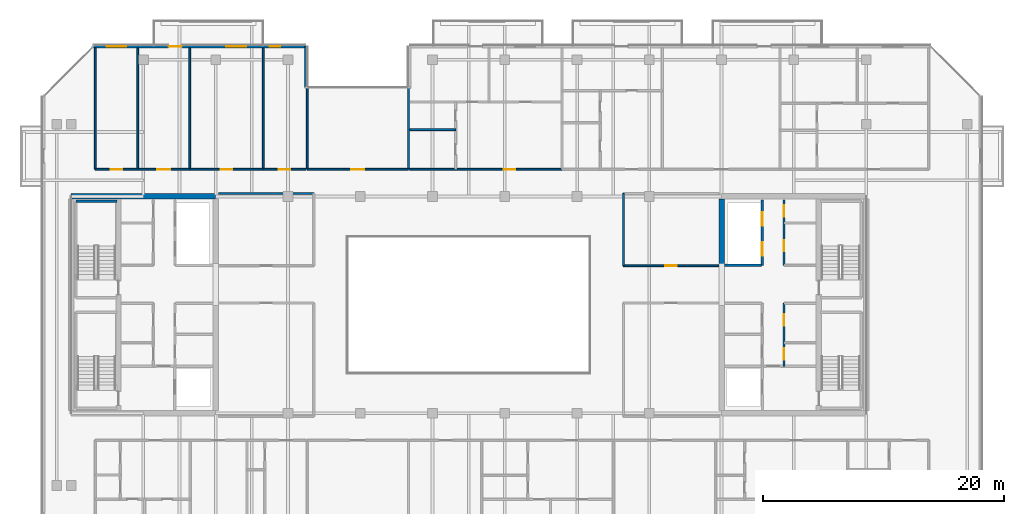
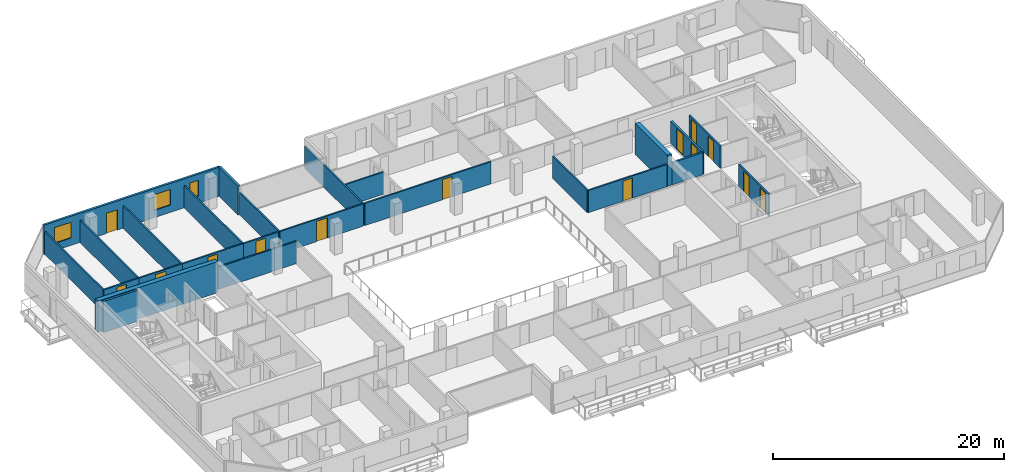
# One storey, part 21 of 29: 25 walls, 14 doors, 3 windows, 17 openings.
"""IFC4 building model written with IfcOpenShell, lengths in metres."""

from ifc_helpers import new_model, si_unit, direction, frame, frame_2d, origin, place, context, subcontext, project, spatial, rectangle, extrude, material, layer, layer_set, type_object, element, fill, save


model = new_model("IFC4")

# Units and contexts
model_context = context("Model", 3, precision=1e-05, world=origin(), true_north=direction((0.0, 1.0)))
body_context = subcontext(model_context, "Body", "Model", "MODEL_VIEW")
ifc_project = project(units=[si_unit("LENGTHUNIT", "METRE"), si_unit("AREAUNIT", "SQUARE_METRE"), si_unit("VOLUMEUNIT", "CUBIC_METRE"), si_unit("PLANEANGLEUNIT", "RADIAN"), si_unit("MASSUNIT", "GRAM", prefix="KILO")], contexts=[model_context])

# Site, building, storey
site_placement = place(None, origin())
site = spatial("IfcSite", under=ifc_project, at=site_placement, CompositionType="ELEMENT")
building_placement = place(site_placement, origin())
building = spatial("IfcBuilding", under=site, at=building_placement, Name="Tanjung Sevakor Pilgrim Tower", CompositionType="ELEMENT")
storey_placement = place(building_placement, frame((0.0, 0.0, 181.830078125)))
storey = spatial("IfcBuildingStorey", under=building, at=storey_placement, Name="L50", CompositionType="ELEMENT", Elevation=181.830078125)

# Walls
ifc_material_1 = material(Name="Concrete C60/75", Category="concrete")
ifc_layer_1 = layer(ifc_material_1, 0.449951171875)
ifc_layer_set_1 = layer_set([ifc_layer_1], Name="WALL-CW-450")
wall_type_1 = type_object("IfcWallType", Name="WALL-CW-450", PredefinedType="SHEAR", material=ifc_layer_set_1)
wall_1_placement = place(storey_placement, frame((36.0, 42.60009765625, 0.0), z_axis=(0.0, 0.0, 1.0), x_axis=(-1.0, 0.0, 0.0)))
element("IfcWall", 1, at=wall_1_placement, inside=storey, type_object=wall_type_1, Name="L50 W Core North Shear Wall", PredefinedType="SHEAR", context=body_context, shape_type="SweptSolid", body=[
    extrude(rectangle(XDim=12.0, YDim=0.449951171875, at=frame_2d((6.0, 0.0))), origin(), (0.0, 0.0, 1.0), 3.2998046875),
])
wall_2_placement = place(storey_placement, frame((78.0, 36.800048828125, 0.0), z_axis=(0.0, 0.0, 1.0), x_axis=(0.0, 1.0, 0.0)))
element("IfcWall", 2, at=wall_2_placement, inside=storey, type_object=wall_type_1, Name="L50 E Core Inner Shear Wall North", PredefinedType="SHEAR", context=body_context, shape_type="SweptSolid", body=[
    extrude(rectangle(XDim=5.574951171875, YDim=0.449951171875, at=frame_2d((2.78759765625, 0.0))), origin(), (0.0, 0.0, 1.0), 3.2998046875),
])

# Wall, openings, doors
ifc_material_2 = material(Name="Concrete C40/50", Category="concrete")
ifc_layer_2 = layer(ifc_material_2, 0.14990234375)
ifc_layer_set_2 = layer_set([ifc_layer_2], Name="WT-COMP-150")
wall_type_2 = type_object("IfcWallType", Name="WT-COMP-150", PredefinedType="SOLIDWALL", material=ifc_layer_set_2)
wall_3_placement = place(storey_placement, frame((83.179931640625, 28.5, 0.0), z_axis=(0.0, 0.0, 1.0), x_axis=(0.0, 1.0, 0.0)))
wall_3 = element("IfcWall", 3, at=wall_3_placement, inside=storey, type_object=wall_type_2, Name="L50 Partition IW-L50-018", PredefinedType="SOLIDWALL", context=body_context, shape_type="SweptSolid", body=[
    extrude(rectangle(XDim=5.219970703125, YDim=0.14990234375, at=frame_2d((2.60986328125, 0.0))), origin(), (0.0, 0.0, 1.0), 2.35009765625),
])
opening_1_placement = place(wall_3_placement, frame((0.550048828125, 0.0, 0.0)))
opening_1 = element("IfcOpeningElement", 4, at=opening_1_placement, cuts=wall_3, Name="Opening ID-FD2", PredefinedType="OPENING", context=body_context, shape_type="SweptSolid", body=[
    extrude(rectangle(XDim=0.949951171875, YDim=2.14990234375, at=frame_2d((0.47509765625, 1.074951171875))), frame((0.0, 0.0849609375, 0.0), z_axis=(0.0, -1.0, 0.0), x_axis=(1.0, 0.0, 0.0)), (0.0, 0.0, 1.0), 0.169921875),
])
opening_2_placement = place(wall_3_placement, frame((3.35009765625, 0.0, 0.0)))
opening_2 = element("IfcOpeningElement", 5, at=opening_2_placement, cuts=wall_3, Name="Opening ID-FD2", PredefinedType="OPENING", context=body_context, shape_type="SweptSolid", body=[
    extrude(rectangle(XDim=0.949951171875, YDim=2.14990234375, at=frame_2d((0.47509765625, 1.074951171875))), frame((0.0, 0.0849609375, 0.0), z_axis=(0.0, -1.0, 0.0), x_axis=(1.0, 0.0, 0.0)), (0.0, 0.0, 1.0), 0.169921875),
])
ifc_material_3 = material(Name="Fire-Rated Timber", Category="wood")
door_type_1 = type_object("IfcDoorType", Name="DT-FIRE-950", OperationType="NOTDEFINED", PredefinedType="DOOR", material=ifc_material_3)
door_1_placement = place(opening_1_placement, origin())
door_1 = element("IfcDoor", 6, at=door_1_placement, inside=storey, type_object=door_type_1, Name="L50 Cleaner Store Door", OperationType="SINGLE_SWING_LEFT", OverallHeight=2.14990234375, OverallWidth=0.949951171875, PredefinedType="DOOR", context=body_context, shape_type="SweptSolid", body=[
    extrude(rectangle(XDim=0.949951171875, YDim=2.14990234375, at=frame_2d((0.47509765625, 1.074951171875))), frame((0.0, 0.02490234375, 0.0), z_axis=(0.0, -1.0, 0.0), x_axis=(1.0, 0.0, 0.0)), (0.0, 0.0, 1.0), 0.050048828125),
])
fill(opening_1, door_1)
door_2_placement = place(opening_2_placement, origin())
door_2 = element("IfcDoor", 7, at=door_2_placement, inside=storey, type_object=door_type_1, Name="L50 Housekeeping Pantry Door", OperationType="SINGLE_SWING_RIGHT", OverallHeight=2.14990234375, OverallWidth=0.949951171875, PredefinedType="DOOR", context=body_context, shape_type="SweptSolid", body=[
    extrude(rectangle(XDim=0.949951171875, YDim=2.14990234375, at=frame_2d((0.47509765625, 1.074951171875))), frame((0.0, 0.02490234375, 0.0), z_axis=(0.0, -1.0, 0.0), x_axis=(1.0, 0.0, 0.0)), (0.0, 0.0, 1.0), 0.050048828125),
])
fill(opening_2, door_2)

wall_4_placement = place(storey_placement, frame((83.179931640625, 36.8798828125, 0.0), z_axis=(0.0, 0.0, 1.0), x_axis=(0.0, 1.0, 0.0)))
wall_4 = element("IfcWall", 8, at=wall_4_placement, inside=storey, type_object=wall_type_2, Name="L50 Partition IW-L50-024", PredefinedType="SOLIDWALL", context=body_context, shape_type="SweptSolid", body=[
    extrude(rectangle(XDim=5.420166015625, YDim=0.14990234375, at=frame_2d((2.7099609375, 0.0))), origin(), (0.0, 0.0, 1.0), 2.35009765625),
])
opening_3_placement = place(wall_4_placement, frame((1.14990234375, 0.0, 0.0)))
opening_3 = element("IfcOpeningElement", 9, at=opening_3_placement, cuts=wall_4, Name="Opening ID-FD2", PredefinedType="OPENING", context=body_context, shape_type="SweptSolid", body=[
    extrude(rectangle(XDim=0.949951171875, YDim=2.14990234375, at=frame_2d((0.47509765625, 1.074951171875))), frame((0.0, 0.0849609375, 0.0), z_axis=(0.0, -1.0, 0.0), x_axis=(1.0, 0.0, 0.0)), (0.0, 0.0, 1.0), 0.169921875),
])
opening_4_placement = place(wall_4_placement, frame((4.050048828125, 0.0, 0.0)))
opening_4 = element("IfcOpeningElement", 10, at=opening_4_placement, cuts=wall_4, Name="Opening ID-FD2", PredefinedType="OPENING", context=body_context, shape_type="SweptSolid", body=[
    extrude(rectangle(XDim=0.949951171875, YDim=2.14990234375, at=frame_2d((0.47509765625, 1.074951171875))), frame((0.0, 0.0849609375, 0.0), z_axis=(0.0, -1.0, 0.0), x_axis=(1.0, 0.0, 0.0)), (0.0, 0.0, 1.0), 0.169921875),
])
door_3_placement = place(opening_3_placement, origin())
door_3 = element("IfcDoor", 11, at=door_3_placement, inside=storey, type_object=door_type_1, Name="L50 Core Study Room Door", OperationType="SINGLE_SWING_LEFT", OverallHeight=2.14990234375, OverallWidth=0.949951171875, PredefinedType="DOOR", context=body_context, shape_type="SweptSolid", body=[
    extrude(rectangle(XDim=0.949951171875, YDim=2.14990234375, at=frame_2d((0.47509765625, 1.074951171875))), frame((0.0, 0.02490234375, 0.0), z_axis=(0.0, -1.0, 0.0), x_axis=(1.0, 0.0, 0.0)), (0.0, 0.0, 1.0), 0.050048828125),
])
fill(opening_3, door_3)
door_4_placement = place(opening_4_placement, origin())
door_4 = element("IfcDoor", 12, at=door_4_placement, inside=storey, type_object=door_type_1, Name="L50 Service Store Door", OperationType="SINGLE_SWING_RIGHT", OverallHeight=2.14990234375, OverallWidth=0.949951171875, PredefinedType="DOOR", context=body_context, shape_type="SweptSolid", body=[
    extrude(rectangle(XDim=0.949951171875, YDim=2.14990234375, at=frame_2d((0.47509765625, 1.074951171875))), frame((0.0, 0.02490234375, 0.0), z_axis=(0.0, -1.0, 0.0), x_axis=(1.0, 0.0, 0.0)), (0.0, 0.0, 1.0), 0.050048828125),
])
fill(opening_4, door_4)

# Wall
wall_5_placement = place(storey_placement, frame((36.2451171875, 42.85009765625, 0.0), z_axis=(0.0, 0.0, 1.0), x_axis=(1.0, 0.0, 0.0)))
element("IfcWall", 13, at=wall_5_placement, inside=storey, type_object=wall_type_2, Name="L50 Partition IW-L50-031", PredefinedType="SOLIDWALL", context=body_context, shape_type="SweptSolid", body=[
    extrude(rectangle(XDim=7.90478515625, YDim=0.14990234375, at=frame_2d((3.952392578125, 0.0))), origin(), (0.0, 0.0, 1.0), 2.35009765625),
])

# Wall, opening, door
wall_6_placement = place(storey_placement, frame((69.85009765625, 36.85009765625, 0.0), z_axis=(0.0, 0.0, 1.0), x_axis=(1.0, 0.0, 0.0)))
wall_6 = element("IfcWall", 14, at=wall_6_placement, inside=storey, type_object=wall_type_2, Name="L50 Partition IW-L50-036", PredefinedType="SOLIDWALL", context=body_context, shape_type="SweptSolid", body=[
    extrude(rectangle(XDim=7.90478515625, YDim=0.14990234375, at=frame_2d((3.952392578125, 0.0))), origin(), (0.0, 0.0, 1.0), 2.35009765625),
])
opening_5_placement = place(wall_6_placement, frame((3.4775390625, 0.0, 0.0)))
opening_5 = element("IfcOpeningElement", 15, at=opening_5_placement, cuts=wall_6, Name="Opening ID-RM1", PredefinedType="OPENING", context=body_context, shape_type="SweptSolid", body=[
    extrude(rectangle(XDim=0.949951171875, YDim=2.14990234375, at=frame_2d((0.47509765625, 1.074951171875))), frame((0.0, 0.0849609375, 0.0), z_axis=(0.0, -1.0, 0.0), x_axis=(1.0, 0.0, 0.0)), (0.0, 0.0, 1.0), 0.169921875),
])
ifc_material_4 = material(Name="Hardwood Timber", Category="wood")
door_type_2 = type_object("IfcDoorType", Name="DT-INT-950", OperationType="NOTDEFINED", PredefinedType="DOOR", material=ifc_material_4)
door_5_placement = place(opening_5_placement, origin())
door_5 = element("IfcDoor", 16, at=door_5_placement, inside=storey, type_object=door_type_2, Name="L50 East Inboard North Door", OperationType="SINGLE_SWING_RIGHT", OverallHeight=2.14990234375, OverallWidth=0.949951171875, PredefinedType="DOOR", context=body_context, shape_type="SweptSolid", body=[
    extrude(rectangle(XDim=0.949951171875, YDim=2.14990234375, at=frame_2d((0.47509765625, 1.074951171875))), frame((0.0, 0.02490234375, 0.0), z_axis=(0.0, -1.0, 0.0), x_axis=(1.0, 0.0, 0.0)), (0.0, 0.0, 1.0), 0.050048828125),
])
fill(opening_5, door_5)

# Wall
wall_7_placement = place(storey_placement, frame((69.85009765625, 36.85009765625, 0.0), z_axis=(0.0, 0.0, 1.0), x_axis=(0.0, 1.0, 0.0)))
element("IfcWall", 17, at=wall_7_placement, inside=storey, type_object=wall_type_2, Name="L50 Partition IW-L50-038", PredefinedType="SOLIDWALL", context=body_context, shape_type="SweptSolid", body=[
    extrude(rectangle(XDim=6.0, YDim=0.14990234375, at=frame_2d((3.0, 0.0))), origin(), (0.0, 0.0, 1.0), 2.35009765625),
])

# Wall, opening, door
wall_8_placement = place(storey_placement, frame((43.60009765625, 44.85009765625, 0.0), z_axis=(0.0, 0.0, 1.0), x_axis=(1.0, 0.0, 0.0)))
wall_8 = element("IfcWall", 18, at=wall_8_placement, inside=storey, type_object=wall_type_2, Name="L50 Partition IW-L50-042", PredefinedType="SOLIDWALL", context=body_context, shape_type="SweptSolid", body=[
    extrude(rectangle(XDim=8.39990234375, YDim=0.14990234375, at=frame_2d((4.199951171875, 0.0))), origin(), (0.0, 0.0, 1.0), 2.35009765625),
])
opening_6_placement = place(wall_8_placement, frame((3.64990234375, 0.0, 0.0)))
opening_6 = element("IfcOpeningElement", 19, at=opening_6_placement, cuts=wall_8, Name="Opening ID-RM2", PredefinedType="OPENING", context=body_context, shape_type="SweptSolid", body=[
    extrude(rectangle(XDim=1.10009765625, YDim=2.14990234375, at=frame_2d((0.550048828125, 1.074951171875))), frame((0.0, 0.0849609375, 0.0), z_axis=(0.0, -1.0, 0.0), x_axis=(1.0, 0.0, 0.0)), (0.0, 0.0, 1.0), 0.169921875),
])
ifc_material_5 = material(Name="Hardwood Timber", Category="wood")
door_type_3 = type_object("IfcDoorType", Name="DT-INT-1100", OperationType="NOTDEFINED", PredefinedType="DOOR", material=ifc_material_5)
door_6_placement = place(opening_6_placement, origin())
door_6 = element("IfcDoor", 20, at=door_6_placement, inside=storey, type_object=door_type_3, Name="L50 North Cleft Reading Room Door", OperationType="SINGLE_SWING_RIGHT", OverallHeight=2.14990234375, OverallWidth=1.10009765625, PredefinedType="DOOR", context=body_context, shape_type="SweptSolid", body=[
    extrude(rectangle(XDim=1.10009765625, YDim=2.14990234375, at=frame_2d((0.550048828125, 1.074951171875))), frame((0.0, 0.02490234375, 0.0), z_axis=(0.0, -1.0, 0.0), x_axis=(1.0, 0.0, 0.0)), (0.0, 0.0, 1.0), 0.050048828125),
])
fill(opening_6, door_6)

# Walls
for number, where, z_axis, x_axis, name in (
    (21, (43.60009765625, 44.85009765625, 0.0), (0.0, 0.0, 1.0), (0.0, 1.0, 0.0), "L50 Partition IW-L50-043"),
    (22, (52.0, 44.85009765625, 0.0), (0.0, 0.0, 1.0), (0.0, 1.0, 0.0), "L50 Partition IW-L50-044"),
    (23, (26.0, 44.85009765625, 0.0), (0.0, 0.0, 1.0), (0.0, 1.0, 0.0), "L50 Partition IW-L50-077"),
    (24, (29.52880859375, 44.85009765625, 0.0), (0.0, 0.0, 1.0), (0.0, 1.0, 0.0), "L50 Partition IW-L50-078"),
):
    element("IfcWall", number, at=place(storey_placement, frame(where, z_axis=z_axis, x_axis=x_axis)), inside=storey, type_object=wall_type_2, Name=name, PredefinedType="SOLIDWALL", context=body_context, shape_type="SweptSolid", body=[
        extrude(rectangle(XDim=10.079833984375, YDim=0.14990234375, at=frame_2d((5.0400390625, 0.0))), origin(), (0.0, 0.0, 1.0), 2.35009765625),
    ])

# Wall, opening, door
wall_9_placement = place(storey_placement, frame((26.0, 44.85009765625, 0.0), z_axis=(0.0, 0.0, 1.0), x_axis=(1.0, 0.0, 0.0)))
wall_9 = element("IfcWall", 25, at=wall_9_placement, inside=storey, type_object=wall_type_2, Name="L50 Partition IW-L50-079", PredefinedType="SOLIDWALL", context=body_context, shape_type="SweptSolid", body=[
    extrude(rectangle(XDim=3.52880859375, YDim=0.14990234375, at=frame_2d((1.764404296875, 0.0))), origin(), (0.0, 0.0, 1.0), 2.35009765625),
])
opening_7_placement = place(wall_9_placement, frame((1.289306640625, 0.0, 0.0)))
opening_7 = element("IfcOpeningElement", 26, at=opening_7_placement, cuts=wall_9, Name="Opening ID-FD2", PredefinedType="OPENING", context=body_context, shape_type="SweptSolid", body=[
    extrude(rectangle(XDim=0.949951171875, YDim=2.14990234375, at=frame_2d((0.47509765625, 1.074951171875))), frame((0.0, 0.0849609375, 0.0), z_axis=(0.0, -1.0, 0.0), x_axis=(1.0, 0.0, 0.0)), (0.0, 0.0, 1.0), 0.169921875),
])
door_7_placement = place(opening_7_placement, origin())
door_7 = element("IfcDoor", 27, at=door_7_placement, inside=storey, type_object=door_type_1, Name="Study Room Entrance", OperationType="SINGLE_SWING_LEFT", OverallHeight=2.14990234375, OverallWidth=0.949951171875, PredefinedType="DOOR", context=body_context, shape_type="SweptSolid", body=[
    extrude(rectangle(XDim=0.949951171875, YDim=2.14990234375, at=frame_2d((0.47509765625, 1.074951171875))), frame((0.0, 0.02490234375, 0.0), z_axis=(0.0, -1.0, 0.0), x_axis=(1.0, 0.0, 0.0)), (0.0, 0.0, 1.0), 0.050048828125),
])
fill(opening_7, door_7)

# Wall
wall_10_placement = place(storey_placement, frame((33.841552734375, 44.85009765625, 0.0), z_axis=(0.0, 0.0, 1.0), x_axis=(0.0, 1.0, 0.0)))
element("IfcWall", 28, at=wall_10_placement, inside=storey, type_object=wall_type_2, Name="L50 Partition IW-L50-080", PredefinedType="SOLIDWALL", context=body_context, shape_type="SweptSolid", body=[
    extrude(rectangle(XDim=10.079833984375, YDim=0.14990234375, at=frame_2d((5.0400390625, 0.0))), origin(), (0.0, 0.0, 1.0), 2.35009765625),
])

# Wall, opening, door
wall_11_placement = place(storey_placement, frame((29.52880859375, 44.85009765625, 0.0), z_axis=(0.0, 0.0, 1.0), x_axis=(1.0, 0.0, 0.0)))
wall_11 = element("IfcWall", 29, at=wall_11_placement, inside=storey, type_object=wall_type_2, Name="L50 Partition IW-L50-081", PredefinedType="SOLIDWALL", context=body_context, shape_type="SweptSolid", body=[
    extrude(rectangle(XDim=4.312744140625, YDim=0.14990234375, at=frame_2d((2.15625, 0.0))), origin(), (0.0, 0.0, 1.0), 2.35009765625),
])
opening_8_placement = place(wall_11_placement, frame((1.6064453125, 0.0, 0.0)))
opening_8 = element("IfcOpeningElement", 30, at=opening_8_placement, cuts=wall_11, Name="Opening ID-FD0", PredefinedType="OPENING", context=body_context, shape_type="SweptSolid", body=[
    extrude(rectangle(XDim=1.10009765625, YDim=2.14990234375, at=frame_2d((0.550048828125, 1.074951171875))), frame((0.0, 0.0849609375, 0.0), z_axis=(0.0, -1.0, 0.0), x_axis=(1.0, 0.0, 0.0)), (0.0, 0.0, 1.0), 0.169921875),
])
ifc_material_6 = material(Name="Fire-Rated Steel S355J2", Category="steel")
door_type_4 = type_object("IfcDoorType", Name="DT-FIRE-1100", OperationType="NOTDEFINED", PredefinedType="DOOR", material=ifc_material_6)
door_8_placement = place(opening_8_placement, origin())
door_8 = element("IfcDoor", 31, at=door_8_placement, inside=storey, type_object=door_type_4, Name="Seminar Room Door", OperationType="SINGLE_SWING_RIGHT", OverallHeight=2.14990234375, OverallWidth=1.10009765625, PredefinedType="DOOR", context=body_context, shape_type="SweptSolid", body=[
    extrude(rectangle(XDim=1.10009765625, YDim=2.14990234375, at=frame_2d((0.550048828125, 1.074951171875))), frame((0.0, 0.02490234375, 0.0), z_axis=(0.0, -1.0, 0.0), x_axis=(1.0, 0.0, 0.0)), (0.0, 0.0, 1.0), 0.050048828125),
])
fill(opening_8, door_8)

# Wall
wall_12_placement = place(storey_placement, frame((39.951416015625, 44.85009765625, 0.0), z_axis=(0.0, 0.0, 1.0), x_axis=(0.0, 1.0, 0.0)))
element("IfcWall", 32, at=wall_12_placement, inside=storey, type_object=wall_type_2, Name="L50 Partition IW-L50-082", PredefinedType="SOLIDWALL", context=body_context, shape_type="SweptSolid", body=[
    extrude(rectangle(XDim=10.079833984375, YDim=0.14990234375, at=frame_2d((5.0400390625, 0.0))), origin(), (0.0, 0.0, 1.0), 2.35009765625),
])

# Wall, opening, door
wall_13_placement = place(storey_placement, frame((33.841552734375, 44.85009765625, 0.0), z_axis=(0.0, 0.0, 1.0), x_axis=(1.0, 0.0, 0.0)))
wall_13 = element("IfcWall", 33, at=wall_13_placement, inside=storey, type_object=wall_type_2, Name="L50 Partition IW-L50-083", PredefinedType="SOLIDWALL", context=body_context, shape_type="SweptSolid", body=[
    extrude(rectangle(XDim=6.10986328125, YDim=0.14990234375, at=frame_2d((3.054931640625, 0.0))), origin(), (0.0, 0.0, 1.0), 2.35009765625),
])
opening_9_placement = place(wall_13_placement, frame((2.579833984375, 0.0, 0.0)))
opening_9 = element("IfcOpeningElement", 34, at=opening_9_placement, cuts=wall_13, Name="Opening ID-FD2", PredefinedType="OPENING", context=body_context, shape_type="SweptSolid", body=[
    extrude(rectangle(XDim=0.949951171875, YDim=2.14990234375, at=frame_2d((0.47509765625, 1.074951171875))), frame((0.0, 0.0849609375, 0.0), z_axis=(0.0, -1.0, 0.0), x_axis=(1.0, 0.0, 0.0)), (0.0, 0.0, 1.0), 0.169921875),
])
door_9_placement = place(opening_9_placement, origin())
door_9 = element("IfcDoor", 35, at=door_9_placement, inside=storey, type_object=door_type_1, Name="Study Room Entrance", OperationType="SINGLE_SWING_LEFT", OverallHeight=2.14990234375, OverallWidth=0.949951171875, PredefinedType="DOOR", context=body_context, shape_type="SweptSolid", body=[
    extrude(rectangle(XDim=0.949951171875, YDim=2.14990234375, at=frame_2d((0.47509765625, 1.074951171875))), frame((0.0, 0.02490234375, 0.0), z_axis=(0.0, -1.0, 0.0), x_axis=(1.0, 0.0, 0.0)), (0.0, 0.0, 1.0), 0.050048828125),
])
fill(opening_9, door_9)

wall_14_placement = place(storey_placement, frame((39.951416015625, 44.85009765625, 0.0), z_axis=(0.0, 0.0, 1.0), x_axis=(1.0, 0.0, 0.0)))
wall_14 = element("IfcWall", 36, at=wall_14_placement, inside=storey, type_object=wall_type_2, Name="L50 Partition IW-L50-084", PredefinedType="SOLIDWALL", context=body_context, shape_type="SweptSolid", body=[
    extrude(rectangle(XDim=3.528564453125, YDim=0.14990234375, at=frame_2d((1.76416015625, 0.0))), origin(), (0.0, 0.0, 1.0), 2.35009765625),
])
opening_10_placement = place(wall_14_placement, frame((1.289306640625, 0.0, 0.0)))
opening_10 = element("IfcOpeningElement", 37, at=opening_10_placement, cuts=wall_14, Name="Opening ID-FD2", PredefinedType="OPENING", context=body_context, shape_type="SweptSolid", body=[
    extrude(rectangle(XDim=0.949951171875, YDim=2.14990234375, at=frame_2d((0.47509765625, 1.074951171875))), frame((0.0, 0.0849609375, 0.0), z_axis=(0.0, -1.0, 0.0), x_axis=(1.0, 0.0, 0.0)), (0.0, 0.0, 1.0), 0.169921875),
])
door_10_placement = place(opening_10_placement, origin())
door_10 = element("IfcDoor", 38, at=door_10_placement, inside=storey, type_object=door_type_1, Name="Study Room Entrance", OperationType="SINGLE_SWING_RIGHT", OverallHeight=2.14990234375, OverallWidth=0.949951171875, PredefinedType="DOOR", context=body_context, shape_type="SweptSolid", body=[
    extrude(rectangle(XDim=0.949951171875, YDim=2.14990234375, at=frame_2d((0.47509765625, 1.074951171875))), frame((0.0, 0.02490234375, 0.0), z_axis=(0.0, -1.0, 0.0), x_axis=(1.0, 0.0, 0.0)), (0.0, 0.0, 1.0), 0.050048828125),
])
fill(opening_10, door_10)

wall_15_placement = place(storey_placement, frame((52.1201171875, 44.85009765625, 0.0), z_axis=(0.0, 0.0, 1.0), x_axis=(1.0, 0.0, 0.0)))
wall_15 = element("IfcWall", 39, at=wall_15_placement, inside=storey, type_object=wall_type_2, Name="L50 Partition IW-L50-091", PredefinedType="SOLIDWALL", context=body_context, shape_type="SweptSolid", body=[
    extrude(rectangle(XDim=12.63671875, YDim=0.14990234375, at=frame_2d((6.318359375, 0.0))), origin(), (0.0, 0.0, 1.0), 2.35009765625),
])
opening_11_placement = place(wall_15_placement, frame((7.783447265625, 0.0, 0.0)))
opening_11 = element("IfcOpeningElement", 40, at=opening_11_placement, cuts=wall_15, Name="Opening ID-FD2", PredefinedType="OPENING", context=body_context, shape_type="SweptSolid", body=[
    extrude(rectangle(XDim=0.949951171875, YDim=2.14990234375, at=frame_2d((0.47509765625, 1.074951171875))), frame((0.0, 0.0849609375, 0.0), z_axis=(0.0, -1.0, 0.0), x_axis=(1.0, 0.0, 0.0)), (0.0, 0.0, 1.0), 0.169921875),
])
door_11_placement = place(opening_11_placement, origin())
door_11 = element("IfcDoor", 41, at=door_11_placement, inside=storey, type_object=door_type_1, Name="Suite Entrance", OperationType="SINGLE_SWING_LEFT", OverallHeight=2.14990234375, OverallWidth=0.949951171875, PredefinedType="DOOR", context=body_context, shape_type="SweptSolid", body=[
    extrude(rectangle(XDim=0.949951171875, YDim=2.14990234375, at=frame_2d((0.47509765625, 1.074951171875))), frame((0.0, 0.02490234375, 0.0), z_axis=(0.0, -1.0, 0.0), x_axis=(1.0, 0.0, 0.0)), (0.0, 0.0, 1.0), 0.050048828125),
])
fill(opening_11, door_11)

# Wall
ifc_material_7 = material(Name="Precast concrete C45/55", Category="concrete")
ifc_layer_3 = layer(ifc_material_7, 0.219970703125)
ifc_layer_set_3 = layer_set([ifc_layer_3], Name="WT-EW-STN4")
wall_type_3 = type_object("IfcWallType", Name="WT-EW-STN4", PredefinedType="SOLIDWALL", material=ifc_layer_set_3)
wall_16_placement = place(storey_placement, frame((43.489990234375, 51.639892578125, 0.0), z_axis=(0.0, 0.0, 1.0), x_axis=(0.0, 1.0, 0.0)))
element("IfcWall", 42, at=wall_16_placement, inside=storey, type_object=wall_type_3, Name="L50 MAIN Exterior Wall 12", PredefinedType="SOLIDWALL", context=body_context, shape_type="SweptSolid", body=[
    extrude(rectangle(XDim=3.400146484375, YDim=0.219970703125, at=frame_2d((1.7001953125, 0.0))), origin(), (0.0, 0.0, 1.0), 3.080078125),
])

# Wall, openings, door, windows
wall_17_placement = place(storey_placement, frame((43.489990234375, 55.0400390625, 0.0), z_axis=(0.0, 0.0, 1.0), x_axis=(-1.0, 0.0, 0.0)))
wall_17 = element("IfcWall", 43, at=wall_17_placement, inside=storey, type_object=wall_type_3, Name="L50 MAIN Exterior Wall 13", PredefinedType="SOLIDWALL", context=body_context, shape_type="SweptSolid", body=[
    extrude(rectangle(XDim=17.644287109375, YDim=0.219970703125, at=frame_2d((8.822265625, 0.0))), origin(), (0.0, 0.0, 1.0), 3.080078125),
])
opening_12_placement = place(wall_17_placement, frame((10.2900390625, 0.0, 0.0)))
opening_12 = element("IfcOpeningElement", 44, at=opening_12_placement, cuts=wall_17, Name="Opening ED-BAL-1100", PredefinedType="OPENING", context=body_context, shape_type="SweptSolid", body=[
    extrude(rectangle(XDim=1.10009765625, YDim=2.14990234375, at=frame_2d((0.550048828125, 1.074951171875))), frame((0.0, 0.119873046875, 0.0), z_axis=(0.0, -1.0, 0.0), x_axis=(1.0, 0.0, 0.0)), (0.0, 0.0, 1.0), 0.239990234375),
])
opening_13_placement = place(wall_17_placement, frame((14.900634765625, 0.0, 0.780029296875)))
opening_13 = element("IfcOpeningElement", 45, at=opening_13_placement, cuts=wall_17, Name="Opening WN-Z4-1660", PredefinedType="OPENING", context=body_context, shape_type="SweptSolid", body=[
    extrude(rectangle(XDim=1.64990234375, YDim=1.659912109375, at=frame_2d((0.824951171875, 0.830078125))), frame((0.0, 0.119873046875, 0.0), z_axis=(0.0, -1.0, 0.0), x_axis=(1.0, 0.0, 0.0)), (0.0, 0.0, 1.0), 0.239990234375),
])
opening_14_placement = place(wall_17_placement, frame((4.968505859375, 0.0, 0.780029296875)))
opening_14 = element("IfcOpeningElement", 46, at=opening_14_placement, cuts=wall_17, Name="Opening WN-Z4-1660", PredefinedType="OPENING", context=body_context, shape_type="SweptSolid", body=[
    extrude(rectangle(XDim=1.64990234375, YDim=1.659912109375, at=frame_2d((0.824951171875, 0.830078125))), frame((0.0, 0.119873046875, 0.0), z_axis=(0.0, -1.0, 0.0), x_axis=(1.0, 0.0, 0.0)), (0.0, 0.0, 1.0), 0.239990234375),
])
opening_15_placement = place(wall_17_placement, frame((2.1494140625, 0.0, 0.780029296875)))
opening_15 = element("IfcOpeningElement", 47, at=opening_15_placement, cuts=wall_17, Name="Opening WN-SLM", PredefinedType="OPENING", context=body_context, shape_type="SweptSolid", body=[
    extrude(rectangle(XDim=0.85009765625, YDim=1.64990234375, at=frame_2d((0.425048828125, 0.824951171875))), frame((0.0, 0.119873046875, 0.0), z_axis=(0.0, -1.0, 0.0), x_axis=(1.0, 0.0, 0.0)), (0.0, 0.0, 1.0), 0.239990234375),
])
ifc_material_8 = material(Name="Anodised Aluminium and Laminated Glass", Category="aluminium")
door_type_5 = type_object("IfcDoorType", Name="DTYP-ED-BAL-1100", OperationType="NOTDEFINED", PredefinedType="DOOR", material=ifc_material_8)
door_12_placement = place(opening_12_placement, frame((1.10009765625, 0.0, 0.0), z_axis=(0.0, 0.0, 1.0), x_axis=(-1.0, 0.0, 0.0)))
door_12 = element("IfcDoor", 48, at=door_12_placement, inside=storey, type_object=door_type_5, Name="L50 Balcony Door MAIN-N1", OperationType="SINGLE_SWING_LEFT", OverallHeight=2.14990234375, OverallWidth=1.10009765625, PredefinedType="DOOR", context=body_context, shape_type="SweptSolid", body=[
    extrude(rectangle(XDim=1.10009765625, YDim=2.14990234375, at=frame_2d((0.550048828125, 1.074951171875))), frame((0.0, 0.02490234375, 0.0), z_axis=(0.0, -1.0, 0.0), x_axis=(1.0, 0.0, 0.0)), (0.0, 0.0, 1.0), 0.050048828125),
])
fill(opening_12, door_12)
ifc_material_9 = material(Name="Thermally Broken Aluminium and Low-E Glass", Category="aluminium")
window_type_1 = type_object("IfcWindowType", Name="WTYP-WN-SLM", PartitioningType="SINGLE_PANEL", PredefinedType="WINDOW", material=ifc_material_9)
window_1_placement = place(opening_15_placement, origin())
window_1 = element("IfcWindow", 49, at=window_1_placement, inside=storey, type_object=window_type_1, Name="L50 Facade Window 03", OverallHeight=1.64990234375, OverallWidth=0.85009765625, PartitioningType="SINGLE_PANEL", PredefinedType="WINDOW", context=body_context, shape_type="SweptSolid", body=[
    extrude(rectangle(XDim=0.85009765625, YDim=1.64990234375, at=frame_2d((0.425048828125, 0.824951171875))), frame((0.0, 0.030029296875, 0.0), z_axis=(0.0, -1.0, 0.0), x_axis=(1.0, 0.0, 0.0)), (0.0, 0.0, 1.0), 0.06005859375),
])
fill(opening_15, window_1)
ifc_material_10 = material(Name="Thermally Broken Aluminium and Low-E Glass", Category="aluminium")
window_type_2 = type_object("IfcWindowType", Name="WTYP-WN-Z4-1660", PartitioningType="DOUBLE_PANEL_VERTICAL", PredefinedType="WINDOW", material=ifc_material_10)
window_2_placement = place(opening_13_placement, origin())
window_2 = element("IfcWindow", 50, at=window_2_placement, inside=storey, type_object=window_type_2, Name="L50 Facade Window 01", OverallHeight=1.659912109375, OverallWidth=1.64990234375, PartitioningType="SINGLE_PANEL", PredefinedType="WINDOW", context=body_context, shape_type="SweptSolid", body=[
    extrude(rectangle(XDim=1.64990234375, YDim=1.659912109375, at=frame_2d((0.824951171875, 0.830078125))), frame((0.0, 0.030029296875, 0.0), z_axis=(0.0, -1.0, 0.0), x_axis=(1.0, 0.0, 0.0)), (0.0, 0.0, 1.0), 0.06005859375),
])
fill(opening_13, window_2)
window_3_placement = place(opening_14_placement, origin())
window_3 = element("IfcWindow", 51, at=window_3_placement, inside=storey, type_object=window_type_2, Name="L50 Facade Window 02", OverallHeight=1.659912109375, OverallWidth=1.64990234375, PartitioningType="SINGLE_PANEL", PredefinedType="WINDOW", context=body_context, shape_type="SweptSolid", body=[
    extrude(rectangle(XDim=1.64990234375, YDim=1.659912109375, at=frame_2d((0.824951171875, 0.830078125))), frame((0.0, 0.030029296875, 0.0), z_axis=(0.0, -1.0, 0.0), x_axis=(1.0, 0.0, 0.0)), (0.0, 0.0, 1.0), 0.06005859375),
])
fill(opening_14, window_3)

# Walls
ifc_material_11 = material(Name="Concrete C40/50", Category="concrete")
ifc_layer_4 = layer(ifc_material_11, 0.199951171875)
ifc_layer_set_4 = layer_set([ifc_layer_4], Name="WT-FIRE-200")
wall_type_4 = type_object("IfcWallType", Name="WT-FIRE-200", PredefinedType="SOLIDWALL", material=ifc_layer_set_4)
wall_18_placement = place(storey_placement, frame((27.800048828125, 42.199951171875, 0.0), z_axis=(0.0, 0.0, 1.0), x_axis=(-1.0, 0.0, 0.0)))
element("IfcWall", 52, at=wall_18_placement, inside=storey, type_object=wall_type_4, Name="L50 TS-W2 Shaft Wall 2", PredefinedType="SOLIDWALL", context=body_context, shape_type="SweptSolid", body=[
    extrude(rectangle(XDim=3.400146484375, YDim=0.199951171875, at=frame_2d((1.7001953125, 0.0))), origin(), (0.0, 0.0, 1.0), 3.2998046875),
])
ifc_material_12 = material(Name="Concrete C40/50", Category="concrete")
ifc_layer_5 = layer(ifc_material_12, 0.199951171875)
ifc_layer_set_5 = layer_set([ifc_layer_5], Name="WT-FPRT-200")
wall_type_5 = type_object("IfcWallType", Name="WT-FPRT-200", PredefinedType="SOLIDWALL", material=ifc_layer_set_5)
wall_19_placement = place(storey_placement, frame((78.2451171875, 36.8798828125, 0.0), z_axis=(0.0, 0.0, 1.0), x_axis=(1.0, 0.0, 0.0)))
element("IfcWall", 53, at=wall_19_placement, inside=storey, type_object=wall_type_5, Name="L50 Partition IW-L50-025", PredefinedType="SOLIDWALL", context=body_context, shape_type="SweptSolid", body=[
    extrude(rectangle(XDim=3.074951171875, YDim=0.199951171875, at=frame_2d((1.53759765625, 0.0))), origin(), (0.0, 0.0, 1.0), 2.35009765625),
])

# Wall, openings, doors
wall_20_placement = place(storey_placement, frame((81.3798828125, 36.8798828125, 0.0), z_axis=(0.0, 0.0, 1.0), x_axis=(0.0, 1.0, 0.0)))
wall_20 = element("IfcWall", 54, at=wall_20_placement, inside=storey, type_object=wall_type_5, Name="L50 Partition IW-L50-026", PredefinedType="SOLIDWALL", context=body_context, shape_type="SweptSolid", body=[
    extrude(rectangle(XDim=5.420166015625, YDim=0.199951171875, at=frame_2d((2.7099609375, 0.0))), origin(), (0.0, 0.0, 1.0), 2.35009765625),
])
opening_16_placement = place(wall_20_placement, frame((0.800048828125, 0.0, 0.0)))
opening_16 = element("IfcOpeningElement", 55, at=opening_16_placement, cuts=wall_20, Name="Opening LD-1100", PredefinedType="OPENING", context=body_context, shape_type="SweptSolid", body=[
    extrude(rectangle(XDim=1.10009765625, YDim=2.199951171875, at=frame_2d((0.550048828125, 1.10009765625))), frame((0.0, 0.10986328125, 0.0), z_axis=(0.0, -1.0, 0.0), x_axis=(1.0, 0.0, 0.0)), (0.0, 0.0, 1.0), 0.219970703125),
])
opening_17_placement = place(wall_20_placement, frame((3.300048828125, 0.0, 0.0)))
opening_17 = element("IfcOpeningElement", 56, at=opening_17_placement, cuts=wall_20, Name="Opening LD-1100", PredefinedType="OPENING", context=body_context, shape_type="SweptSolid", body=[
    extrude(rectangle(XDim=1.10009765625, YDim=2.199951171875, at=frame_2d((0.550048828125, 1.10009765625))), frame((0.0, 0.10986328125, 0.0), z_axis=(0.0, -1.0, 0.0), x_axis=(1.0, 0.0, 0.0)), (0.0, 0.0, 1.0), 0.219970703125),
])
ifc_material_13 = material(Name="Brushed Stainless Steel S355J2", Category="steel")
door_type_6 = type_object("IfcDoorType", Name="DT-LIFT-1100", OperationType="SLIDING_TO_LEFT", PredefinedType="DOOR", material=ifc_material_13)
door_13_placement = place(opening_16_placement, origin())
door_13 = element("IfcDoor", 57, at=door_13_placement, inside=storey, type_object=door_type_6, Name="LD-PLH1-E", OperationType="SLIDING_TO_LEFT", OverallHeight=2.199951171875, OverallWidth=1.10009765625, PredefinedType="DOOR", context=body_context, shape_type="SweptSolid", body=[
    extrude(rectangle(XDim=1.10009765625, YDim=2.199951171875, at=frame_2d((0.550048828125, 1.10009765625))), frame((0.0, 0.02490234375, 0.0), z_axis=(0.0, -1.0, 0.0), x_axis=(1.0, 0.0, 0.0)), (0.0, 0.0, 1.0), 0.050048828125),
])
fill(opening_16, door_13)
door_14_placement = place(opening_17_placement, origin())
door_14 = element("IfcDoor", 58, at=door_14_placement, inside=storey, type_object=door_type_6, Name="LD-PLH2-E", OperationType="SLIDING_TO_RIGHT", OverallHeight=2.199951171875, OverallWidth=1.10009765625, PredefinedType="DOOR", context=body_context, shape_type="SweptSolid", body=[
    extrude(rectangle(XDim=1.10009765625, YDim=2.199951171875, at=frame_2d((0.550048828125, 1.10009765625))), frame((0.0, 0.02490234375, 0.0), z_axis=(0.0, -1.0, 0.0), x_axis=(1.0, 0.0, 0.0)), (0.0, 0.0, 1.0), 0.050048828125),
])
fill(opening_17, door_14)

# Wall
ifc_material_14 = material(Name="Gypsum Board Partition", Category="gypsum board")
ifc_layer_6 = layer(ifc_material_14, 0.14990234375)
ifc_layer_set_6 = layer_set([ifc_layer_6], Name="WT-PART-150")
wall_type_6 = type_object("IfcWallType", Name="WT-PART-150", PredefinedType="PARTITIONING", material=ifc_layer_set_6)
wall_21_placement = place(storey_placement, frame((52.1201171875, 48.1484375, 0.0), z_axis=(0.0, 0.0, 1.0), x_axis=(1.0, 0.0, 0.0)))
element("IfcWall", 59, at=wall_21_placement, inside=storey, type_object=wall_type_6, Name="L50 Partition IW-L50-087", PredefinedType="PARTITIONING", context=body_context, shape_type="SweptSolid", body=[
    extrude(rectangle(XDim=3.7998046875, YDim=0.14990234375, at=frame_2d((1.89990234375, 0.0))), origin(), (0.0, 0.0, 1.0), 2.35009765625),
])

save(model, "model.ifc")
